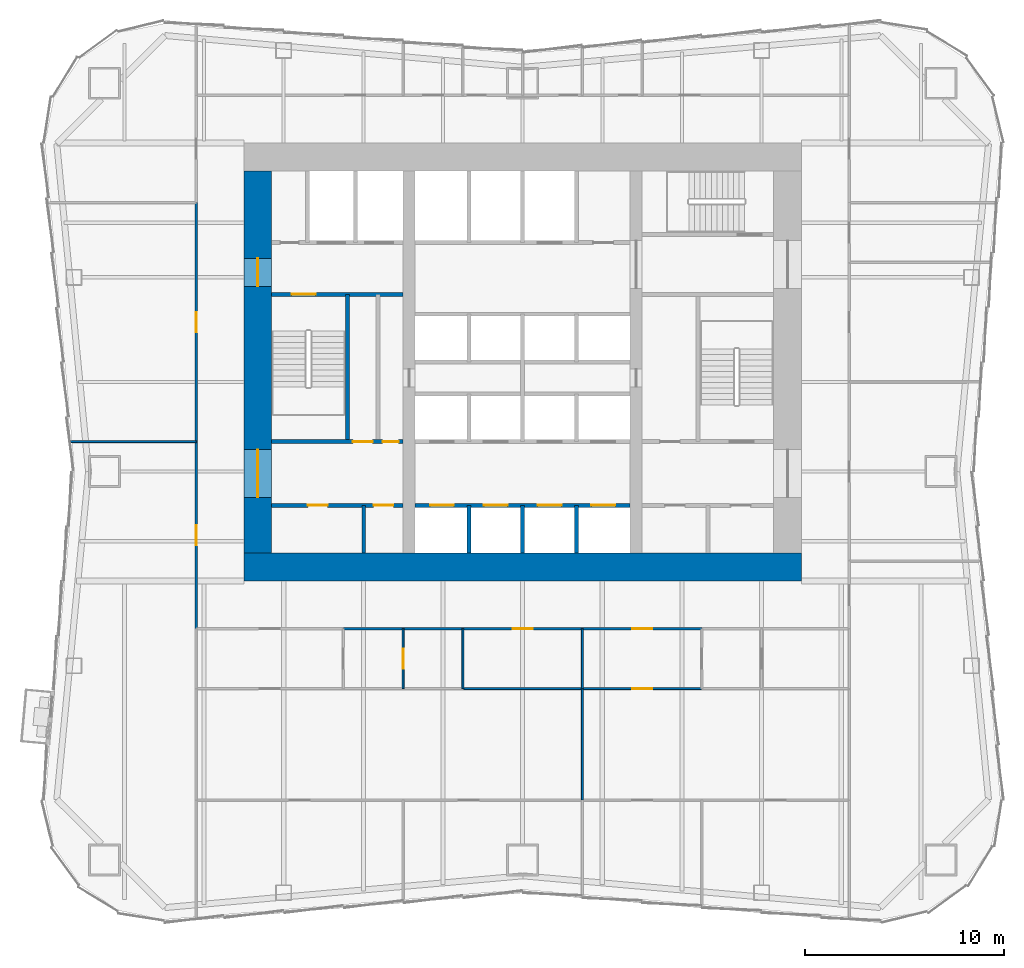
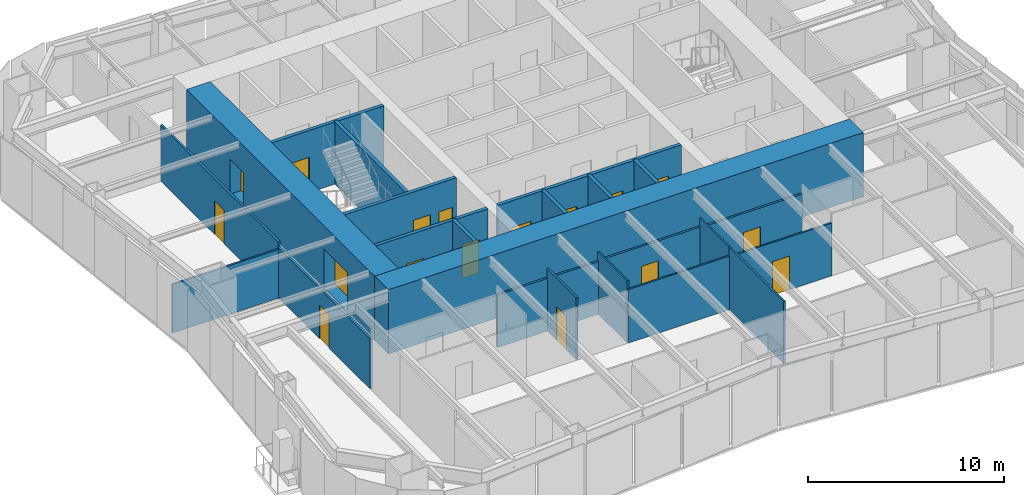
# One storey, part 4 of 9: 24 walls, 17 doors, 17 openings.
"""IFC4 building model written with IfcOpenShell, lengths in metres."""

from ifc_helpers import new_model, si_unit, direction, frame, frame_2d, origin, place, context, subcontext, project, spatial, rectangle, extrude, material, layer, layer_set, type_object, element, fill, save


model = new_model("IFC4")

# Units and contexts
model_context = context("Model", 3, precision=1e-05, world=origin(), true_north=direction((0.0, 1.0)))
body_context = subcontext(model_context, "Body", "Model", "MODEL_VIEW")
ifc_project = project(units=[si_unit("LENGTHUNIT", "METRE"), si_unit("AREAUNIT", "SQUARE_METRE"), si_unit("VOLUMEUNIT", "CUBIC_METRE"), si_unit("PLANEANGLEUNIT", "RADIAN"), si_unit("MASSUNIT", "GRAM", prefix="KILO")], contexts=[model_context])

# Site, building, storey
site_placement = place(None, origin())
site = spatial("IfcSite", under=ifc_project, at=site_placement, CompositionType="ELEMENT")
building_placement = place(site_placement, origin())
building = spatial("IfcBuilding", under=site, at=building_placement, Name="Verdant Reach Tower", CompositionType="ELEMENT")
storey_placement = place(building_placement, frame((0.0, 0.0, 34.0)))
storey = spatial("IfcBuildingStorey", under=building, at=storey_placement, Name="L07", CompositionType="ELEMENT", Elevation=34.0)

# Wall, openings, doors
ifc_material_1 = material(Name="Gypsum board on steel studs", Category="steel")
ifc_layer_1 = layer(ifc_material_1, 0.199951171875)
ifc_layer_set_1 = layer_set([ifc_layer_1], Name="CO-WALL-ROOM")
wall_type_1 = type_object("IfcWallType", Name="CO-WALL-ROOM", PredefinedType="PARTITIONING", material=ifc_layer_set_1)
wall_1_placement = place(storey_placement, frame((-12.60009765625, 20.800048828125, 0.0), z_axis=(0.0, 0.0, 1.0), x_axis=(1.0, 0.0, 0.0)))
wall_1 = element("IfcWall", 1, at=wall_1_placement, inside=storey, type_object=wall_type_1, Name="Core partition, L07", PredefinedType="PARTITIONING", context=body_context, shape_type="SweptSolid", body=[
    extrude(rectangle(XDim=6.60009765625, YDim=0.199951171875, at=frame_2d((3.300048828125, 0.0))), origin(), (0.0, 0.0, 1.0), 3.8701171875),
])
opening_1_placement = place(wall_1_placement, frame((1.81005859375, 0.0, 0.0)))
opening_1 = element("IfcOpeningElement", 2, at=opening_1_placement, cuts=wall_1, Name="Opening CD", PredefinedType="OPENING", context=body_context, shape_type="SweptSolid", body=[
    extrude(rectangle(XDim=1.0, YDim=2.10009765625, at=frame_2d((0.5, 1.050048828125))), frame((0.0, 0.10986328125, 0.0), z_axis=(0.0, -1.0, 0.0), x_axis=(1.0, 0.0, 0.0)), (0.0, 0.0, 1.0), 0.219970703125),
])
opening_2_placement = place(wall_1_placement, frame((5.110107421875, 0.0, 0.0)))
opening_2 = element("IfcOpeningElement", 3, at=opening_2_placement, cuts=wall_1, Name="Opening CD", PredefinedType="OPENING", context=body_context, shape_type="SweptSolid", body=[
    extrude(rectangle(XDim=1.0, YDim=2.10009765625, at=frame_2d((0.5, 1.050048828125))), frame((0.0, 0.10986328125, 0.0), z_axis=(0.0, -1.0, 0.0), x_axis=(1.0, 0.0, 0.0)), (0.0, 0.0, 1.0), 0.219970703125),
])
ifc_material_2 = material(Name="Timber", Category="wood")
door_type_1 = type_object("IfcDoorType", Name="CO-DOOR-ROOM", OperationType="NOTDEFINED", PredefinedType="DOOR", material=ifc_material_2)
door_1_placement = place(opening_1_placement, origin())
door_1 = element("IfcDoor", 4, at=door_1_placement, inside=storey, type_object=door_type_1, Name="Core room door, L07", OperationType="SINGLE_SWING_LEFT", OverallHeight=2.10009765625, OverallWidth=1.0, PredefinedType="DOOR", context=body_context, shape_type="SweptSolid", body=[
    extrude(rectangle(XDim=1.0, YDim=2.10009765625, at=frame_2d((0.5, 1.050048828125))), frame((0.0, 0.02490234375, 0.0), z_axis=(0.0, -1.0, 0.0), x_axis=(1.0, 0.0, 0.0)), (0.0, 0.0, 1.0), 0.050048828125),
])
fill(opening_1, door_1)
door_2_placement = place(opening_2_placement, origin())
door_2 = element("IfcDoor", 5, at=door_2_placement, inside=storey, type_object=door_type_1, Name="Core room door, L07", OperationType="SINGLE_SWING_LEFT", OverallHeight=2.10009765625, OverallWidth=1.0, PredefinedType="DOOR", context=body_context, shape_type="SweptSolid", body=[
    extrude(rectangle(XDim=1.0, YDim=2.10009765625, at=frame_2d((0.5, 1.050048828125))), frame((0.0, 0.02490234375, 0.0), z_axis=(0.0, -1.0, 0.0), x_axis=(1.0, 0.0, 0.0)), (0.0, 0.0, 1.0), 0.050048828125),
])
fill(opening_2, door_2)

# Wall
wall_2_placement = place(storey_placement, frame((-7.97998046875, 18.39990234375, 0.0), z_axis=(0.0, 0.0, 1.0), x_axis=(0.0, 1.0, 0.0)))
element("IfcWall", 6, at=wall_2_placement, inside=storey, type_object=wall_type_1, Name="Core partition, L07", PredefinedType="PARTITIONING", context=body_context, shape_type="SweptSolid", body=[
    extrude(rectangle(XDim=2.400146484375, YDim=0.199951171875, at=frame_2d((1.2001953125, 0.0))), origin(), (0.0, 0.0, 1.0), 3.8701171875),
])

# Wall, openings, doors
ifc_material_3 = material(Name="Concrete C40/50", Category="concrete")
ifc_layer_2 = layer(ifc_material_3, 0.199951171875)
ifc_layer_set_2 = layer_set([ifc_layer_2], Name="CO-WALL-SHAFT")
wall_type_2 = type_object("IfcWallType", Name="CO-WALL-SHAFT", PredefinedType="PARTITIONING", material=ifc_layer_set_2)
wall_3_placement = place(storey_placement, frame((-5.39990234375, 20.800048828125, 0.0), z_axis=(0.0, 0.0, 1.0), x_axis=(1.0, 0.0, 0.0)))
wall_3 = element("IfcWall", 7, at=wall_3_placement, inside=storey, type_object=wall_type_2, Name="Lift shaft wall, L07", PredefinedType="PARTITIONING", context=body_context, shape_type="SweptSolid", body=[
    extrude(rectangle(XDim=10.7998046875, YDim=0.199951171875, at=frame_2d((5.39990234375, 0.0))), origin(), (0.0, 0.0, 1.0), 3.8701171875),
])
opening_3_placement = place(wall_3_placement, frame((0.75, 0.0, 0.0)))
opening_3 = element("IfcOpeningElement", 8, at=opening_3_placement, cuts=wall_3, Name="Opening LD-A1", PredefinedType="OPENING", context=body_context, shape_type="SweptSolid", body=[
    extrude(rectangle(XDim=1.199951171875, YDim=2.199951171875, at=frame_2d((0.60009765625, 1.10009765625))), frame((0.0, 0.10986328125, 0.0), z_axis=(0.0, -1.0, 0.0), x_axis=(1.0, 0.0, 0.0)), (0.0, 0.0, 1.0), 0.219970703125),
])
opening_4_placement = place(wall_3_placement, frame((3.449951171875, 0.0, 0.0)))
opening_4 = element("IfcOpeningElement", 9, at=opening_4_placement, cuts=wall_3, Name="Opening LD-A2", PredefinedType="OPENING", context=body_context, shape_type="SweptSolid", body=[
    extrude(rectangle(XDim=1.199951171875, YDim=2.199951171875, at=frame_2d((0.60009765625, 1.10009765625))), frame((0.0, 0.10986328125, 0.0), z_axis=(0.0, -1.0, 0.0), x_axis=(1.0, 0.0, 0.0)), (0.0, 0.0, 1.0), 0.219970703125),
])
opening_5_placement = place(wall_3_placement, frame((6.14990234375, 0.0, 0.0)))
opening_5 = element("IfcOpeningElement", 10, at=opening_5_placement, cuts=wall_3, Name="Opening LD-A3", PredefinedType="OPENING", context=body_context, shape_type="SweptSolid", body=[
    extrude(rectangle(XDim=1.199951171875, YDim=2.199951171875, at=frame_2d((0.60009765625, 1.10009765625))), frame((0.0, 0.10986328125, 0.0), z_axis=(0.0, -1.0, 0.0), x_axis=(1.0, 0.0, 0.0)), (0.0, 0.0, 1.0), 0.219970703125),
])
opening_6_placement = place(wall_3_placement, frame((8.85009765625, 0.0, 0.0)))
opening_6 = element("IfcOpeningElement", 11, at=opening_6_placement, cuts=wall_3, Name="Opening LD-A4", PredefinedType="OPENING", context=body_context, shape_type="SweptSolid", body=[
    extrude(rectangle(XDim=1.199951171875, YDim=2.199951171875, at=frame_2d((0.60009765625, 1.10009765625))), frame((0.0, 0.10986328125, 0.0), z_axis=(0.0, -1.0, 0.0), x_axis=(1.0, 0.0, 0.0)), (0.0, 0.0, 1.0), 0.219970703125),
])
ifc_material_4 = material(Name="Stainless steel", Category="steel")
door_type_2 = type_object("IfcDoorType", Name="CO-DOOR-LANDING", OperationType="SLIDING_TO_LEFT", PredefinedType="DOOR", material=ifc_material_4)
door_3_placement = place(opening_3_placement, origin())
door_3 = element("IfcDoor", 12, at=door_3_placement, inside=storey, type_object=door_type_2, Name="Landing door A1, L07", OperationType="SLIDING_TO_LEFT", OverallHeight=2.199951171875, OverallWidth=1.199951171875, PredefinedType="DOOR", context=body_context, shape_type="SweptSolid", body=[
    extrude(rectangle(XDim=1.199951171875, YDim=2.199951171875, at=frame_2d((0.60009765625, 1.10009765625))), frame((0.0, 0.02490234375, 0.0), z_axis=(0.0, -1.0, 0.0), x_axis=(1.0, 0.0, 0.0)), (0.0, 0.0, 1.0), 0.050048828125),
])
fill(opening_3, door_3)
door_4_placement = place(opening_4_placement, origin())
door_4 = element("IfcDoor", 13, at=door_4_placement, inside=storey, type_object=door_type_2, Name="Landing door A2, L07", OperationType="SLIDING_TO_LEFT", OverallHeight=2.199951171875, OverallWidth=1.199951171875, PredefinedType="DOOR", context=body_context, shape_type="SweptSolid", body=[
    extrude(rectangle(XDim=1.199951171875, YDim=2.199951171875, at=frame_2d((0.60009765625, 1.10009765625))), frame((0.0, 0.02490234375, 0.0), z_axis=(0.0, -1.0, 0.0), x_axis=(1.0, 0.0, 0.0)), (0.0, 0.0, 1.0), 0.050048828125),
])
fill(opening_4, door_4)
door_5_placement = place(opening_5_placement, origin())
door_5 = element("IfcDoor", 14, at=door_5_placement, inside=storey, type_object=door_type_2, Name="Landing door A3, L07", OperationType="SLIDING_TO_LEFT", OverallHeight=2.199951171875, OverallWidth=1.199951171875, PredefinedType="DOOR", context=body_context, shape_type="SweptSolid", body=[
    extrude(rectangle(XDim=1.199951171875, YDim=2.199951171875, at=frame_2d((0.60009765625, 1.10009765625))), frame((0.0, 0.02490234375, 0.0), z_axis=(0.0, -1.0, 0.0), x_axis=(1.0, 0.0, 0.0)), (0.0, 0.0, 1.0), 0.050048828125),
])
fill(opening_5, door_5)
door_6_placement = place(opening_6_placement, origin())
door_6 = element("IfcDoor", 15, at=door_6_placement, inside=storey, type_object=door_type_2, Name="Landing door A4, L07", OperationType="SLIDING_TO_LEFT", OverallHeight=2.199951171875, OverallWidth=1.199951171875, PredefinedType="DOOR", context=body_context, shape_type="SweptSolid", body=[
    extrude(rectangle(XDim=1.199951171875, YDim=2.199951171875, at=frame_2d((0.60009765625, 1.10009765625))), frame((0.0, 0.02490234375, 0.0), z_axis=(0.0, -1.0, 0.0), x_axis=(1.0, 0.0, 0.0)), (0.0, 0.0, 1.0), 0.050048828125),
])
fill(opening_6, door_6)

# Walls
for number, where, z_axis, x_axis, name in (
    (16, (-2.699951171875, 18.39990234375, 0.0), (0.0, 0.0, 1.0), (0.0, 1.0, 0.0), "Lift shaft wall, L07"),
    (17, (0.0, 18.39990234375, 0.0), (0.0, 0.0, 1.0), (0.0, 1.0, 0.0), "Lift shaft wall, L07"),
    (18, (2.699951171875, 18.39990234375, 0.0), (0.0, 0.0, 1.0), (0.0, 1.0, 0.0), "Lift shaft wall, L07"),
):
    element("IfcWall", number, at=place(storey_placement, frame(where, z_axis=z_axis, x_axis=x_axis)), inside=storey, type_object=wall_type_2, Name=name, PredefinedType="PARTITIONING", context=body_context, shape_type="SweptSolid", body=[
        extrude(rectangle(XDim=2.400146484375, YDim=0.199951171875, at=frame_2d((1.2001953125, 0.0))), origin(), (0.0, 0.0, 1.0), 3.8701171875),
    ])

# Wall, openings, doors
ifc_layer_3 = layer(ifc_material_3, 0.199951171875)
ifc_layer_set_3 = layer_set([ifc_layer_3], Name="CO-WALL-STAIR")
wall_type_3 = type_object("IfcWallType", Name="CO-WALL-STAIR", PredefinedType="PARTITIONING", material=ifc_layer_set_3)
wall_4_placement = place(storey_placement, frame((-12.60009765625, 24.0, 0.0), z_axis=(0.0, 0.0, 1.0), x_axis=(1.0, 0.0, 0.0)))
wall_4 = element("IfcWall", 19, at=wall_4_placement, inside=storey, type_object=wall_type_3, Name="Stair enclosure wall, L07", PredefinedType="PARTITIONING", context=body_context, shape_type="SweptSolid", body=[
    extrude(rectangle(XDim=6.60009765625, YDim=0.199951171875, at=frame_2d((3.300048828125, 0.0))), origin(), (0.0, 0.0, 1.0), 3.8701171875),
])
opening_7_placement = place(wall_4_placement, frame((4.070068359375, 0.0, 0.0)))
opening_7 = element("IfcOpeningElement", 20, at=opening_7_placement, cuts=wall_4, Name="Opening CD", PredefinedType="OPENING", context=body_context, shape_type="SweptSolid", body=[
    extrude(rectangle(XDim=1.0, YDim=2.10009765625, at=frame_2d((0.5, 1.050048828125))), frame((0.0, 0.10986328125, 0.0), z_axis=(0.0, -1.0, 0.0), x_axis=(1.0, 0.0, 0.0)), (0.0, 0.0, 1.0), 0.219970703125),
])
opening_8_placement = place(wall_4_placement, frame((5.570068359375, 0.0, 0.0)))
opening_8 = element("IfcOpeningElement", 21, at=opening_8_placement, cuts=wall_4, Name="Opening CDN", PredefinedType="OPENING", context=body_context, shape_type="SweptSolid", body=[
    extrude(rectangle(XDim=0.800048828125, YDim=2.10009765625, at=frame_2d((0.39990234375, 1.050048828125))), frame((0.0, 0.10986328125, 0.0), z_axis=(0.0, -1.0, 0.0), x_axis=(1.0, 0.0, 0.0)), (0.0, 0.0, 1.0), 0.219970703125),
])
door_7_placement = place(opening_7_placement, origin())
door_7 = element("IfcDoor", 22, at=door_7_placement, inside=storey, type_object=door_type_1, Name="Core room door, L07", OperationType="SINGLE_SWING_RIGHT", OverallHeight=2.10009765625, OverallWidth=1.0, PredefinedType="DOOR", context=body_context, shape_type="SweptSolid", body=[
    extrude(rectangle(XDim=1.0, YDim=2.10009765625, at=frame_2d((0.5, 1.050048828125))), frame((0.0, 0.02490234375, 0.0), z_axis=(0.0, -1.0, 0.0), x_axis=(1.0, 0.0, 0.0)), (0.0, 0.0, 1.0), 0.050048828125),
])
fill(opening_7, door_7)
door_type_3 = type_object("IfcDoorType", Name="CO-DOOR-ROOM-NARROW", OperationType="NOTDEFINED", PredefinedType="DOOR", material=ifc_material_2)
door_8_placement = place(opening_8_placement, origin())
door_8 = element("IfcDoor", 23, at=door_8_placement, inside=storey, type_object=door_type_3, Name="Core room door, L07", OperationType="SINGLE_SWING_LEFT", OverallHeight=2.10009765625, OverallWidth=0.800048828125, PredefinedType="DOOR", context=body_context, shape_type="SweptSolid", body=[
    extrude(rectangle(XDim=0.800048828125, YDim=2.10009765625, at=frame_2d((0.39990234375, 1.050048828125))), frame((0.0, 0.02490234375, 0.0), z_axis=(0.0, -1.0, 0.0), x_axis=(1.0, 0.0, 0.0)), (0.0, 0.0, 1.0), 0.050048828125),
])
fill(opening_8, door_8)

# Wall, opening, door
wall_5_placement = place(storey_placement, frame((-12.60009765625, 31.39990234375, 0.0), z_axis=(0.0, 0.0, 1.0), x_axis=(1.0, 0.0, 0.0)))
wall_5 = element("IfcWall", 24, at=wall_5_placement, inside=storey, type_object=wall_type_3, Name="Stair enclosure wall, L07", PredefinedType="PARTITIONING", context=body_context, shape_type="SweptSolid", body=[
    extrude(rectangle(XDim=6.60009765625, YDim=0.199951171875, at=frame_2d((3.300048828125, 0.0))), origin(), (0.0, 0.0, 1.0), 3.8701171875),
])
opening_9_placement = place(wall_5_placement, frame((1.0, 0.0, 0.0)))
opening_9 = element("IfcOpeningElement", 25, at=opening_9_placement, cuts=wall_5, Name="Opening SD", PredefinedType="OPENING", context=body_context, shape_type="SweptSolid", body=[
    extrude(rectangle(XDim=1.199951171875, YDim=2.199951171875, at=frame_2d((0.60009765625, 1.10009765625))), frame((0.0, 0.10986328125, 0.0), z_axis=(0.0, -1.0, 0.0), x_axis=(1.0, 0.0, 0.0)), (0.0, 0.0, 1.0), 0.219970703125),
])
ifc_material_5 = material(Name="Steel", Category="steel")
door_type_4 = type_object("IfcDoorType", Name="CO-DOOR-STAIR", OperationType="NOTDEFINED", PredefinedType="DOOR", material=ifc_material_5)
door_9_placement = place(opening_9_placement, origin())
door_9 = element("IfcDoor", 26, at=door_9_placement, inside=storey, type_object=door_type_4, Name="Stair door, L07", OperationType="SINGLE_SWING_RIGHT", OverallHeight=2.199951171875, OverallWidth=1.199951171875, PredefinedType="DOOR", context=body_context, shape_type="SweptSolid", body=[
    extrude(rectangle(XDim=1.199951171875, YDim=2.199951171875, at=frame_2d((0.60009765625, 1.10009765625))), frame((0.0, 0.02490234375, 0.0), z_axis=(0.0, -1.0, 0.0), x_axis=(1.0, 0.0, 0.0)), (0.0, 0.0, 1.0), 0.050048828125),
])
fill(opening_9, door_9)

# Wall
wall_6_placement = place(storey_placement, frame((-8.800048828125, 24.0, 0.0), z_axis=(0.0, 0.0, 1.0), x_axis=(0.0, 1.0, 0.0)))
element("IfcWall", 27, at=wall_6_placement, inside=storey, type_object=wall_type_3, Name="Stair enclosure wall, L07", PredefinedType="PARTITIONING", context=body_context, shape_type="SweptSolid", body=[
    extrude(rectangle(XDim=7.39990234375, YDim=0.199951171875, at=frame_2d((3.699951171875, 0.0))), origin(), (0.0, 0.0, 1.0), 3.8701171875),
])

# Wall, opening, door
ifc_layer_4 = layer(ifc_material_1, 0.10009765625)
ifc_layer_set_4 = layer_set([ifc_layer_4], Name="FL-W1 Partition 100")
wall_type_4 = type_object("IfcWallType", Name="FL-W1 Partition 100", PredefinedType="PARTITIONING", material=ifc_layer_set_4)
wall_7_placement = place(storey_placement, frame((-6.0, 14.60009765625, 0.0), z_axis=(0.0, 0.0, 1.0), x_axis=(0.0, -1.0, 0.0)))
wall_7 = element("IfcWall", 28, at=wall_7_placement, inside=storey, type_object=wall_type_4, Name="Partition 07.25", PredefinedType="PARTITIONING", context=body_context, shape_type="SweptSolid", body=[
    extrude(rectangle(XDim=3.0, YDim=0.10009765625, at=frame_2d((1.5, 0.0))), origin(), (0.0, 0.0, 1.0), 3.8701171875),
])
opening_10_placement = place(wall_7_placement, frame((1.0, 0.0, 0.0)))
opening_10 = element("IfcOpeningElement", 29, at=opening_10_placement, cuts=wall_7, Name="Opening D3", PredefinedType="OPENING", context=body_context, shape_type="SweptSolid", body=[
    extrude(rectangle(XDim=1.0, YDim=2.10009765625, at=frame_2d((0.5, 1.050048828125))), frame((0.0, 0.06005859375, 0.0), z_axis=(0.0, -1.0, 0.0), x_axis=(1.0, 0.0, 0.0)), (0.0, 0.0, 1.0), 0.1201171875),
])
ifc_material_6 = material(Name="Painted timber door leaf", Category="wood")
door_type_5 = type_object("IfcDoorType", Name="FL-D3 Door 1000x2100", OperationType="NOTDEFINED", PredefinedType="DOOR", material=ifc_material_6)
door_10_placement = place(opening_10_placement, origin())
door_10 = element("IfcDoor", 30, at=door_10_placement, inside=storey, type_object=door_type_5, Name="Door 07-020", OperationType="SINGLE_SWING_RIGHT", OverallHeight=2.10009765625, OverallWidth=1.0, PredefinedType="DOOR", context=body_context, shape_type="SweptSolid", body=[
    extrude(rectangle(XDim=1.0, YDim=2.10009765625, at=frame_2d((0.5, 1.050048828125))), frame((0.0, 0.02490234375, 0.0), z_axis=(0.0, -1.0, 0.0), x_axis=(1.0, 0.0, 0.0)), (0.0, 0.0, 1.0), 0.050048828125),
])
fill(opening_10, door_10)

# Walls
wall_8_placement = place(storey_placement, frame((-3.0, 11.60009765625, 0.0), z_axis=(0.0, 0.0, 1.0), x_axis=(0.0, 1.0, 0.0)))
element("IfcWall", 31, at=wall_8_placement, inside=storey, type_object=wall_type_4, Name="Partition 07.27", PredefinedType="PARTITIONING", context=body_context, shape_type="SweptSolid", body=[
    extrude(rectangle(XDim=3.0, YDim=0.10009765625, at=frame_2d((1.5, 0.0))), origin(), (0.0, 0.0, 1.0), 3.8701171875),
])
wall_9_placement = place(storey_placement, frame((-3.00390625, 11.60009765625, 0.0), z_axis=(0.0, 0.0, 1.0), x_axis=(1.0, 0.0, 0.0)))
element("IfcWall", 32, at=wall_9_placement, inside=storey, type_object=wall_type_4, Name="Partition 07.29", PredefinedType="PARTITIONING", context=body_context, shape_type="SweptSolid", body=[
    extrude(rectangle(XDim=6.00390625, YDim=0.10009765625, at=frame_2d((3.001953125, 0.0))), origin(), (0.0, 0.0, 1.0), 3.340087890625),
])
wall_10_placement = place(storey_placement, frame((3.0, 11.60009765625, 0.0), z_axis=(0.0, 0.0, 1.0), x_axis=(0.0, 1.0, 0.0)))
element("IfcWall", 33, at=wall_10_placement, inside=storey, type_object=wall_type_4, Name="Partition 07.30", PredefinedType="PARTITIONING", context=body_context, shape_type="SweptSolid", body=[
    extrude(rectangle(XDim=3.0, YDim=0.10009765625, at=frame_2d((1.5, 0.0))), origin(), (0.0, 0.0, 1.0), 3.8701171875),
])
wall_11_placement = place(storey_placement, frame((3.0, 6.0, 0.0), z_axis=(0.0, 0.0, 1.0), x_axis=(0.0, 1.0, 0.0)))
element("IfcWall", 34, at=wall_11_placement, inside=storey, type_object=wall_type_4, Name="Partition 07.33", PredefinedType="PARTITIONING", context=body_context, shape_type="SweptSolid", body=[
    extrude(rectangle(XDim=5.60009765625, YDim=0.10009765625, at=frame_2d((2.800048828125, 0.0))), origin(), (0.0, 0.0, 1.0), 3.8701171875),
])

# Wall, opening, door
wall_12_placement = place(storey_placement, frame((9.00390625, 11.60009765625, 0.0), z_axis=(0.0, 0.0, 1.0), x_axis=(-1.0, 0.0, 0.0)))
wall_12 = element("IfcWall", 35, at=wall_12_placement, inside=storey, type_object=wall_type_4, Name="Partition 07.39", PredefinedType="PARTITIONING", context=body_context, shape_type="SweptSolid", body=[
    extrude(rectangle(XDim=6.00390625, YDim=0.10009765625, at=frame_2d((3.001953125, 0.0))), origin(), (0.0, 0.0, 1.0), 3.2900390625),
])
opening_11_placement = place(wall_12_placement, frame((2.501953125, 0.0, 0.0)))
opening_11 = element("IfcOpeningElement", 36, at=opening_11_placement, cuts=wall_12, Name="Opening D3", PredefinedType="OPENING", context=body_context, shape_type="SweptSolid", body=[
    extrude(rectangle(XDim=1.0, YDim=2.10009765625, at=frame_2d((0.5, 1.050048828125))), frame((0.0, 0.06005859375, 0.0), z_axis=(0.0, -1.0, 0.0), x_axis=(1.0, 0.0, 0.0)), (0.0, 0.0, 1.0), 0.1201171875),
])
door_11_placement = place(opening_11_placement, origin())
door_11 = element("IfcDoor", 37, at=door_11_placement, inside=storey, type_object=door_type_5, Name="Door 07-024", OperationType="SINGLE_SWING_RIGHT", OverallHeight=2.10009765625, OverallWidth=1.0, PredefinedType="DOOR", context=body_context, shape_type="SweptSolid", body=[
    extrude(rectangle(XDim=1.0, YDim=2.10009765625, at=frame_2d((0.5, 1.050048828125))), frame((0.0, 0.02490234375, 0.0), z_axis=(0.0, -1.0, 0.0), x_axis=(1.0, 0.0, 0.0)), (0.0, 0.0, 1.0), 0.050048828125),
])
fill(opening_11, door_11)

# Walls
wall_13_placement = place(storey_placement, frame((-16.39990234375, 24.0, 0.0), z_axis=(0.0, 0.0, 1.0), x_axis=(-1.0, 0.0, 0.0)))
element("IfcWall", 38, at=wall_13_placement, inside=storey, type_object=wall_type_4, Name="Partition 07.56", PredefinedType="PARTITIONING", context=body_context, shape_type="SweptSolid", body=[
    extrude(rectangle(XDim=6.31640625, YDim=0.10009765625, at=frame_2d((3.158203125, 0.0))), origin(), (0.0, 0.0, 1.0), 3.0400390625),
])
ifc_material_7 = material(Name="Gypsum board on steel studs, fire rated", Category="steel")
ifc_layer_5 = layer(ifc_material_7, 0.125)
ifc_layer_set_5 = layer_set([ifc_layer_5], Name="FL-W2 Corridor wall 125")
wall_type_5 = type_object("IfcWallType", Name="FL-W2 Corridor wall 125", PredefinedType="PARTITIONING", material=ifc_layer_set_5)
for number, where, z_axis, x_axis, name in (
    (39, (-9.0, 14.60009765625, 0.0), (0.0, 0.0, 1.0), (1.0, 0.0, 0.0), "Partition 07.02"),
    (40, (-6.0, 14.60009765625, 0.0), (0.0, 0.0, 1.0), (1.0, 0.0, 0.0), "Partition 07.03"),
):
    element("IfcWall", number, at=place(storey_placement, frame(where, z_axis=z_axis, x_axis=x_axis)), inside=storey, type_object=wall_type_5, Name=name, PredefinedType="PARTITIONING", context=body_context, shape_type="SweptSolid", body=[
        extrude(rectangle(XDim=3.0, YDim=0.125, at=frame_2d((1.5, 0.0))), origin(), (0.0, 0.0, 1.0), 3.2900390625),
    ])

# Wall, opening, door
wall_14_placement = place(storey_placement, frame((3.0, 14.60009765625, 0.0), z_axis=(0.0, 0.0, 1.0), x_axis=(-1.0, 0.0, 0.0)))
wall_14 = element("IfcWall", 41, at=wall_14_placement, inside=storey, type_object=wall_type_5, Name="Partition 07.04", PredefinedType="PARTITIONING", context=body_context, shape_type="SweptSolid", body=[
    extrude(rectangle(XDim=6.0, YDim=0.125, at=frame_2d((3.0, 0.0))), origin(), (0.0, 0.0, 1.0), 3.340087890625),
])
opening_12_placement = place(wall_14_placement, frame((2.5, 0.0, 0.0)))
opening_12 = element("IfcOpeningElement", 42, at=opening_12_placement, cuts=wall_14, Name="Opening D2", PredefinedType="OPENING", context=body_context, shape_type="SweptSolid", body=[
    extrude(rectangle(XDim=1.0, YDim=2.10009765625, at=frame_2d((0.5, 1.050048828125))), frame((0.0, 0.072509765625, 0.0), z_axis=(0.0, -1.0, 0.0), x_axis=(1.0, 0.0, 0.0)), (0.0, 0.0, 1.0), 0.14501953125),
])
ifc_material_8 = material(Name="Timber door leaf, fire rated", Category="wood")
door_type_6 = type_object("IfcDoorType", Name="FL-D2 Entrance door 1000x2100 FD30", OperationType="NOTDEFINED", PredefinedType="DOOR", material=ifc_material_8)
door_12_placement = place(opening_12_placement, origin())
door_12 = element("IfcDoor", 43, at=door_12_placement, inside=storey, type_object=door_type_6, Name="Door 07-002", OperationType="SINGLE_SWING_RIGHT", OverallHeight=2.10009765625, OverallWidth=1.0, PredefinedType="DOOR", context=body_context, shape_type="SweptSolid", body=[
    extrude(rectangle(XDim=1.0, YDim=2.10009765625, at=frame_2d((0.5, 1.050048828125))), frame((0.0, 0.02490234375, 0.0), z_axis=(0.0, -1.0, 0.0), x_axis=(1.0, 0.0, 0.0)), (0.0, 0.0, 1.0), 0.050048828125),
])
fill(opening_12, door_12)

wall_15_placement = place(storey_placement, frame((9.0, 14.60009765625, 0.0), z_axis=(0.0, 0.0, 1.0), x_axis=(-1.0, 0.0, 0.0)))
wall_15 = element("IfcWall", 44, at=wall_15_placement, inside=storey, type_object=wall_type_5, Name="Partition 07.05", PredefinedType="PARTITIONING", context=body_context, shape_type="SweptSolid", body=[
    extrude(rectangle(XDim=6.0, YDim=0.125, at=frame_2d((3.0, 0.0))), origin(), (0.0, 0.0, 1.0), 3.2900390625),
])
opening_13_placement = place(wall_15_placement, frame((2.5, 0.0, 0.0)))
opening_13 = element("IfcOpeningElement", 45, at=opening_13_placement, cuts=wall_15, Name="Opening D2", PredefinedType="OPENING", context=body_context, shape_type="SweptSolid", body=[
    extrude(rectangle(XDim=1.0, YDim=2.10009765625, at=frame_2d((0.5, 1.050048828125))), frame((0.0, 0.072509765625, 0.0), z_axis=(0.0, -1.0, 0.0), x_axis=(1.0, 0.0, 0.0)), (0.0, 0.0, 1.0), 0.14501953125),
])
door_13_placement = place(opening_13_placement, origin())
door_13 = element("IfcDoor", 46, at=door_13_placement, inside=storey, type_object=door_type_6, Name="Door 07-003", OperationType="SINGLE_SWING_LEFT", OverallHeight=2.10009765625, OverallWidth=1.0, PredefinedType="DOOR", context=body_context, shape_type="SweptSolid", body=[
    extrude(rectangle(XDim=1.0, YDim=2.10009765625, at=frame_2d((0.5, 1.050048828125))), frame((0.0, 0.02490234375, 0.0), z_axis=(0.0, -1.0, 0.0), x_axis=(1.0, 0.0, 0.0)), (0.0, 0.0, 1.0), 0.050048828125),
])
fill(opening_13, door_13)

wall_16_placement = place(storey_placement, frame((-16.39990234375, 14.595947265625, 0.0), z_axis=(0.0, 0.0, 1.0), x_axis=(0.0, 1.0, 0.0)))
wall_16 = element("IfcWall", 47, at=wall_16_placement, inside=storey, type_object=wall_type_5, Name="Partition 07.14", PredefinedType="PARTITIONING", context=body_context, shape_type="SweptSolid", body=[
    extrude(rectangle(XDim=9.404052734375, YDim=0.125, at=frame_2d((4.7021484375, 0.0))), origin(), (0.0, 0.0, 1.0), 3.139892578125),
])
opening_14_placement = place(wall_16_placement, frame((4.201904296875, 0.0, 0.0)))
opening_14 = element("IfcOpeningElement", 48, at=opening_14_placement, cuts=wall_16, Name="Opening D2", PredefinedType="OPENING", context=body_context, shape_type="SweptSolid", body=[
    extrude(rectangle(XDim=1.0, YDim=2.10009765625, at=frame_2d((0.5, 1.050048828125))), frame((0.0, 0.072509765625, 0.0), z_axis=(0.0, -1.0, 0.0), x_axis=(1.0, 0.0, 0.0)), (0.0, 0.0, 1.0), 0.14501953125),
])
door_14_placement = place(opening_14_placement, origin())
door_14 = element("IfcDoor", 49, at=door_14_placement, inside=storey, type_object=door_type_6, Name="Door 07-010", OperationType="SINGLE_SWING_RIGHT", OverallHeight=2.10009765625, OverallWidth=1.0, PredefinedType="DOOR", context=body_context, shape_type="SweptSolid", body=[
    extrude(rectangle(XDim=1.0, YDim=2.10009765625, at=frame_2d((0.5, 1.050048828125))), frame((0.0, 0.02490234375, 0.0), z_axis=(0.0, -1.0, 0.0), x_axis=(1.0, 0.0, 0.0)), (0.0, 0.0, 1.0), 0.050048828125),
])
fill(opening_14, door_14)

wall_17_placement = place(storey_placement, frame((-16.39990234375, 24.0, 0.0), z_axis=(0.0, 0.0, 1.0), x_axis=(0.0, 1.0, 0.0)))
wall_17 = element("IfcWall", 50, at=wall_17_placement, inside=storey, type_object=wall_type_5, Name="Partition 07.15", PredefinedType="PARTITIONING", context=body_context, shape_type="SweptSolid", body=[
    extrude(rectangle(XDim=12.0, YDim=0.125, at=frame_2d((6.0, 0.0))), origin(), (0.0, 0.0, 1.0), 3.47998046875),
])
opening_15_placement = place(wall_17_placement, frame((5.5, 0.0, 0.0)))
opening_15 = element("IfcOpeningElement", 51, at=opening_15_placement, cuts=wall_17, Name="Opening D2", PredefinedType="OPENING", context=body_context, shape_type="SweptSolid", body=[
    extrude(rectangle(XDim=1.0, YDim=2.10009765625, at=frame_2d((0.5, 1.050048828125))), frame((0.0, 0.072509765625, 0.0), z_axis=(0.0, -1.0, 0.0), x_axis=(1.0, 0.0, 0.0)), (0.0, 0.0, 1.0), 0.14501953125),
])
door_15_placement = place(opening_15_placement, origin())
door_15 = element("IfcDoor", 52, at=door_15_placement, inside=storey, type_object=door_type_6, Name="Door 07-011", OperationType="SINGLE_SWING_LEFT", OverallHeight=2.10009765625, OverallWidth=1.0, PredefinedType="DOOR", context=body_context, shape_type="SweptSolid", body=[
    extrude(rectangle(XDim=1.0, YDim=2.10009765625, at=frame_2d((0.5, 1.050048828125))), frame((0.0, 0.02490234375, 0.0), z_axis=(0.0, -1.0, 0.0), x_axis=(1.0, 0.0, 0.0)), (0.0, 0.0, 1.0), 0.050048828125),
])
fill(opening_15, door_15)

# Wall
ifc_material_9 = material(Name="Concrete C70/85", Category="concrete")
ifc_layer_6 = layer(ifc_material_9, 1.39990234375)
ifc_layer_set_6 = layer_set([ifc_layer_6], Name="ST-CORE-WALL-1400")
wall_type_6 = type_object("IfcWallType", Name="ST-CORE-WALL-1400", PredefinedType="SHEAR", material=ifc_layer_set_6)
wall_18_placement = place(storey_placement, frame((-14.0, 17.699951171875, -0.1298828125), z_axis=(0.0, 0.0, 1.0), x_axis=(1.0, 0.0, 0.0)))
element("IfcWall", 53, at=wall_18_placement, inside=storey, type_object=wall_type_6, Name="Core wall S, L07", PredefinedType="SHEAR", context=body_context, shape_type="SweptSolid", body=[
    extrude(rectangle(XDim=28.0, YDim=1.39990234375, at=frame_2d((14.0, 0.0))), origin(), (0.0, 0.0, 1.0), 4.0),
])

# Wall, openings, doors
wall_19_placement = place(storey_placement, frame((-13.300048828125, 18.39990234375, -0.1298828125), z_axis=(0.0, 0.0, 1.0), x_axis=(0.0, 1.0, 0.0)))
wall_19 = element("IfcWall", 54, at=wall_19_placement, inside=storey, type_object=wall_type_6, Name="Core wall W, L07", PredefinedType="SHEAR", context=body_context, shape_type="SweptSolid", body=[
    extrude(rectangle(XDim=19.2001953125, YDim=1.39990234375, at=frame_2d((9.60009765625, 0.0))), origin(), (0.0, 0.0, 1.0), 4.0),
])
opening_16_placement = place(wall_19_placement, frame((2.800048828125, 0.0, 0.1298828125)))
opening_16 = element("IfcOpeningElement", 55, at=opening_16_placement, cuts=wall_19, Name="Opening LB", PredefinedType="OPENING", context=body_context, shape_type="SweptSolid", body=[
    extrude(rectangle(XDim=2.39990234375, YDim=2.39990234375, at=frame_2d((1.199951171875, 1.199951171875))), frame((0.0, 0.7099609375, 0.0), z_axis=(0.0, -1.0, 0.0), x_axis=(1.0, 0.0, 0.0)), (0.0, 0.0, 1.0), 1.419921875),
])
opening_17_placement = place(wall_19_placement, frame((13.39990234375, 0.0, 0.1298828125)))
opening_17 = element("IfcOpeningElement", 56, at=opening_17_placement, cuts=wall_19, Name="Opening FL", PredefinedType="OPENING", context=body_context, shape_type="SweptSolid", body=[
    extrude(rectangle(XDim=1.39990234375, YDim=2.199951171875, at=frame_2d((0.699951171875, 1.10009765625))), frame((0.0, 0.7099609375, 0.0), z_axis=(0.0, -1.0, 0.0), x_axis=(1.0, 0.0, 0.0)), (0.0, 0.0, 1.0), 1.419921875),
])
door_type_7 = type_object("IfcDoorType", Name="CO-DOOR-FFL", OperationType="NOTDEFINED", PredefinedType="DOOR", material=ifc_material_5)
door_16_placement = place(opening_17_placement, origin())
door_16 = element("IfcDoor", 57, at=door_16_placement, inside=storey, type_object=door_type_7, Name="Core entrance door, L07", OperationType="SINGLE_SWING_RIGHT", OverallHeight=2.199951171875, OverallWidth=1.39990234375, PredefinedType="DOOR", context=body_context, shape_type="SweptSolid", body=[
    extrude(rectangle(XDim=1.39990234375, YDim=2.199951171875, at=frame_2d((0.699951171875, 1.10009765625))), frame((0.0, 0.02490234375, 0.0), z_axis=(0.0, -1.0, 0.0), x_axis=(1.0, 0.0, 0.0)), (0.0, 0.0, 1.0), 0.050048828125),
])
fill(opening_17, door_16)
ifc_material_10 = material(Name="Glass and steel", Category="steel")
door_type_8 = type_object("IfcDoorType", Name="CO-DOOR-LOBBY", OperationType="DOUBLE_DOOR_SINGLE_SWING", PredefinedType="DOOR", material=ifc_material_10)
door_17_placement = place(opening_16_placement, origin())
door_17 = element("IfcDoor", 58, at=door_17_placement, inside=storey, type_object=door_type_8, Name="Core entrance door, L07", OperationType="DOUBLE_DOOR_SINGLE_SWING", OverallHeight=2.39990234375, OverallWidth=2.39990234375, PredefinedType="DOOR", context=body_context, shape_type="SweptSolid", body=[
    extrude(rectangle(XDim=2.39990234375, YDim=2.39990234375, at=frame_2d((1.199951171875, 1.199951171875))), frame((0.0, 0.02490234375, 0.0), z_axis=(0.0, -1.0, 0.0), x_axis=(1.0, 0.0, 0.0)), (0.0, 0.0, 1.0), 0.050048828125),
])
fill(opening_16, door_17)

save(model, "model.ifc")
